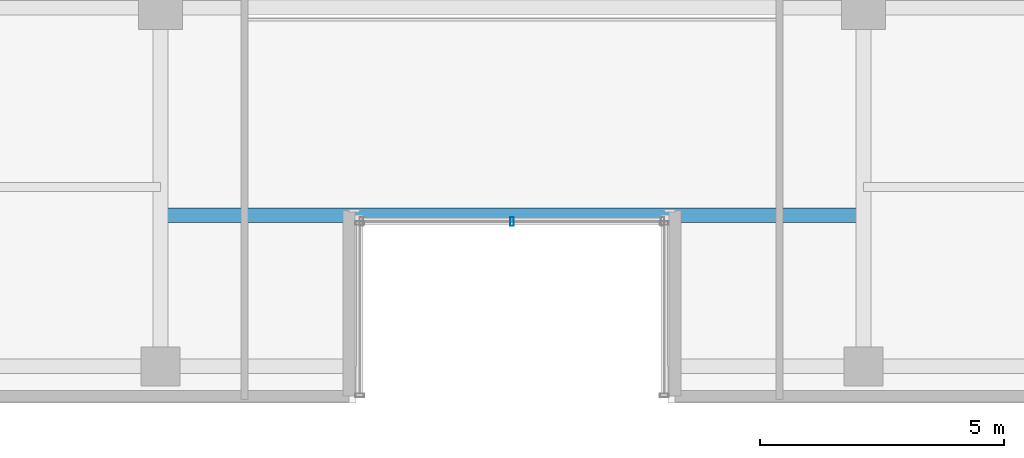
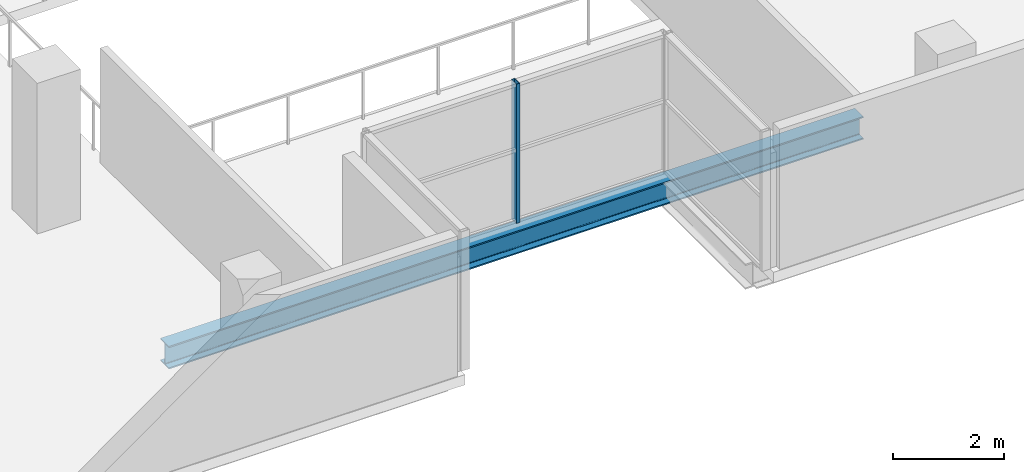
# One storey, part 4 of 27: 1 beam, 1 member, 1 element without a shape of its own.
"""IFC4 building model written with IfcOpenShell, lengths in metres."""

from ifc_helpers import new_model, si_unit, direction, frame, origin, origin_2d, place, context, subcontext, project, spatial, hollow_rectangle, i_section, extrude, source, transform, mapped, material, layer, layer_set, material_profile, profile_set, type_object, element, aggregate, save


model = new_model("IFC4")

# Units and contexts
model_context = context("Model", 3, precision=1e-05, world=origin(), true_north=direction((0.0, 1.0)))
body_context = subcontext(model_context, "Body", "Model", "MODEL_VIEW")
ifc_project = project(units=[si_unit("LENGTHUNIT", "METRE"), si_unit("AREAUNIT", "SQUARE_METRE"), si_unit("VOLUMEUNIT", "CUBIC_METRE"), si_unit("PLANEANGLEUNIT", "RADIAN"), si_unit("MASSUNIT", "GRAM", prefix="KILO")], contexts=[model_context])

# Site, building, storey
site_placement = place(None, origin())
site = spatial("IfcSite", under=ifc_project, at=site_placement, CompositionType="ELEMENT")
building_placement = place(site_placement, origin())
building = spatial("IfcBuilding", under=site, at=building_placement, Name="Zarnakvel Exchange Tower", CompositionType="ELEMENT")
storey_placement = place(building_placement, frame((0.0, 0.0, 96.699951171875)))
storey = spatial("IfcBuildingStorey", under=building, at=storey_placement, Name="L26", CompositionType="ELEMENT", Elevation=96.699951171875)

# Beam
ifc_material_1 = material(Name="Steel S355", Category="steel")
ifc_material_profile_1 = material_profile(ifc_material_1, i_section(OverallWidth=0.300048828125, OverallDepth=0.5, WebThickness=0.014404296875, FlangeThickness=0.028076171875, FilletRadius=0.027099609375, at=origin_2d()))
ifc_profile_set_1 = profile_set([ifc_material_profile_1], Name="Steel S355")
beam_type = type_object("IfcBeamType", Name="SP-02", PredefinedType="SPANDREL", material=ifc_profile_set_1)
beam_placement = place(storey_placement, frame((-7.199951171875, -13.85009765625, -0.474853515625), z_axis=(1.0, 0.0, 0.0), x_axis=(0.0, 1.0, 0.0)))
element("IfcBeam", 1, at=beam_placement, inside=storey, type_object=beam_type, Name="L26 South Slot Head Trimmer Girder", PredefinedType="SPANDREL", context=body_context, shape_type="SweptSolid", body=[
    extrude(i_section(OverallWidth=0.300048828125, OverallDepth=0.5, WebThickness=0.014404296875, FlangeThickness=0.028076171875, FilletRadius=0.027099609375, at=origin_2d()), origin(), (0.0, 0.0, 1.0), 14.39990234375),
])

# Curtain wall, member
ifc_material_2 = material(Name="Architectural Bronze Anodised Aluminium", Category="aluminium")
ifc_layer = layer(ifc_material_2, 0.179931640625)
ifc_layer_set = layer_set([ifc_layer], Name="Architectural Bronze Anodised Aluminium")
curtain_wall_type = type_object("IfcCurtainWallType", Name="CW-05", PredefinedType="NOTDEFINED", material=ifc_layer_set)
curtain_wall_placement = place(storey_placement, origin())
curtain_wall = element("IfcCurtainWall", 2, at=curtain_wall_placement, inside=storey, type_object=curtain_wall_type, Name="L26 Curtain Wall CW-L26-SLB (CW-05)", PredefinedType="NOTDEFINED")
ifc_material_profile_2 = material_profile(ifc_material_2, hollow_rectangle(XDim=0.179931640625, YDim=0.070068359375, WallThickness=0.00390625, at=origin_2d()))
ifc_profile_set_2 = profile_set([ifc_material_profile_2], Name="Architectural Bronze Anodised Aluminium")
member_type = type_object("IfcMemberType", Name="CWM-05", PredefinedType="MULLION", material=ifc_profile_set_2)
shared_shape = source(origin(), body_context, "Body", "SweptSolid", [
    extrude(hollow_rectangle(XDim=0.179931640625, YDim=0.070068359375, WallThickness=0.00390625, at=origin_2d()), origin(), (0.0, 0.0, 1.0), 3.054931640625),
])
member_placement = place(storey_placement, frame((0.0, -13.97998046875, 0.0), z_axis=(0.0, 0.0, 1.0), x_axis=(0.0, 1.0, 0.0)))
member = element("IfcMember", 3, at=member_placement, type_object=member_type, Name="CW-05 mullion 2", PredefinedType="MULLION", context=body_context, shape_type="MappedRepresentation", body=[
    mapped(shared_shape, transform((0.0, 0.0, 0.0), x_axis=(1.0, 0.0, 0.0), y_axis=(0.0, 1.0, 0.0), z_axis=(0.0, 0.0, 1.0), scale=1.0)),
])
aggregate(curtain_wall, [member])

save(model, "model.ifc")
